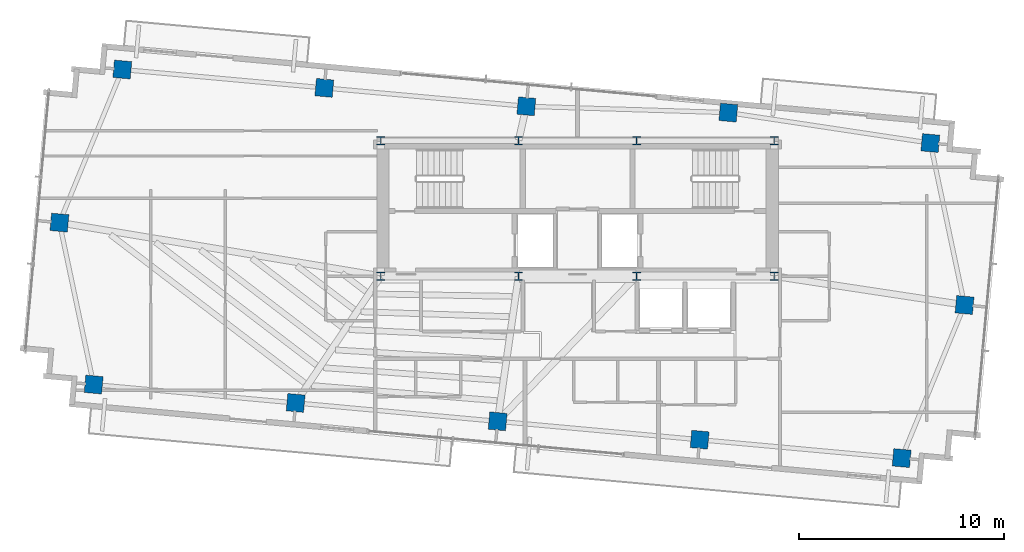
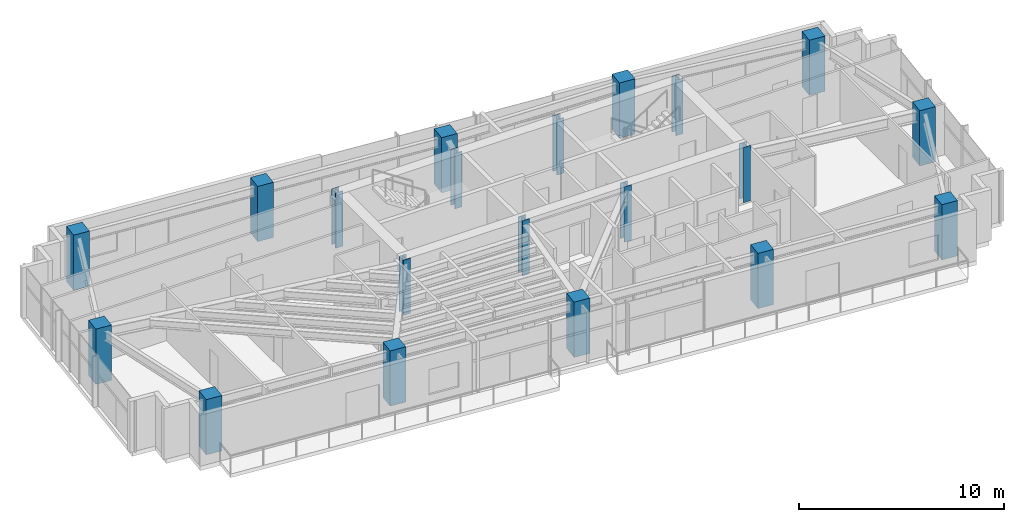
# One storey, part 1 of 22: 20 columns.
"""IFC4 building model written with IfcOpenShell, lengths in metres."""

from ifc_helpers import new_model, si_unit, direction, frame, origin, origin_2d, place, context, subcontext, project, spatial, rectangle, i_section, extrude, source, transform, mapped, material, material_profile, profile_set, type_object, type_shapes, element, save


model = new_model("IFC4")

# Units and contexts
model_context = context("Model", 3, precision=1e-05, world=origin(), true_north=direction((0.0, 1.0)))
body_context = subcontext(model_context, "Body", "Model", "MODEL_VIEW")
ifc_project = project(units=[si_unit("LENGTHUNIT", "METRE"), si_unit("AREAUNIT", "SQUARE_METRE"), si_unit("VOLUMEUNIT", "CUBIC_METRE"), si_unit("PLANEANGLEUNIT", "RADIAN"), si_unit("MASSUNIT", "GRAM", prefix="KILO")], contexts=[model_context])

# Site, building, storey
site_placement = place(None, origin())
site = spatial("IfcSite", under=ifc_project, at=site_placement, CompositionType="ELEMENT")
building_placement = place(site_placement, origin())
building = spatial("IfcBuilding", under=site, at=building_placement, Name="Astriad Promenade Condominiums", CompositionType="ELEMENT")
storey_placement = place(building_placement, frame((0.0, 0.0, 243.0)))
storey = spatial("IfcBuildingStorey", under=building, at=storey_placement, Name="L70", CompositionType="ELEMENT", Elevation=243.0)

# Columns
ifc_material_1 = material(Name="Steel ASTM A992 Grade 50", Category="steel")
ifc_material_profile_1 = material_profile(ifc_material_1, i_section(OverallWidth=0.4091796875, OverallDepth=0.42529296875, WebThickness=0.03271484375, FlangeThickness=0.052490234375, FilletRadius=0.017822265625, at=origin_2d()), Name="W14X283")
ifc_profile_set_1 = profile_set([ifc_material_profile_1], Name="Steel ASTM A992 Grade 50")
column_type_1 = type_object("IfcColumnType", Name="STEEL CORE PILASTER W14X283", PredefinedType="PILASTER", material=ifc_profile_set_1)
shared_shape_1 = source(origin(), body_context, "Body", "SweptSolid", [
    extrude(i_section(OverallWidth=0.4091796875, OverallDepth=0.42529296875, WebThickness=0.03271484375, FlangeThickness=0.052490234375, FilletRadius=0.017822265625, at=origin_2d()), origin(), (0.0, 0.0, 1.0), 3.296142578125),
])
type_shapes(column_type_1, [shared_shape_1])
for number, where, z_axis, x_axis, name in (
    (1, (26.39990234375, 17.39990234375, 0.001953125), (0.0, 0.0, 1.0), (1.0, 0.0, 0.0), "Core Pilaster Column CP1 (L70)"),
    (2, (33.1201171875, 17.39990234375, 0.001953125), (0.0, 0.0, 1.0), (1.0, 0.0, 0.0), "Core Pilaster Column CP2 (L70)"),
    (3, (38.8798828125, 17.39990234375, 0.001953125), (0.0, 0.0, 1.0), (1.0, 0.0, 0.0), "Core Pilaster Column CP3 (L70)"),
    (4, (45.60009765625, 17.39990234375, 0.001953125), (0.0, 0.0, 1.0), (1.0, 0.0, 0.0), "Core Pilaster Column CP4 (L70)"),
    (5, (26.39990234375, 24.0, 0.001953125), (0.0, 0.0, 1.0), (1.0, 0.0, 0.0), "Core Pilaster Column CP5 (L70)"),
    (6, (33.1201171875, 24.0, 0.001953125), (0.0, 0.0, 1.0), (1.0, 0.0, 0.0), "Core Pilaster Column CP6 (L70)"),
    (7, (38.8798828125, 24.0, 0.001953125), (0.0, 0.0, 1.0), (1.0, 0.0, 0.0), "Core Pilaster Column CP7 (L70)"),
    (8, (45.60009765625, 24.0, 0.001953125), (0.0, 0.0, 1.0), (1.0, 0.0, 0.0), "Core Pilaster Column CP8 (L70)"),
):
    element("IfcColumn", number, at=place(storey_placement, frame(where, z_axis=z_axis, x_axis=x_axis)), inside=storey, type_object=column_type_1, Name=name, PredefinedType="PILASTER", context=body_context, shape_type="MappedRepresentation", body=[
        mapped(shared_shape_1, transform((0.0, 0.0, 0.0), scale=1.0)),
    ])
ifc_material_2 = material(Name="Concrete C50/60", Category="concrete")
ifc_material_profile_2 = material_profile(ifc_material_2, rectangle(XDim=0.85009765625, YDim=0.85009765625, at=origin_2d()), Name="RC-COL-850X850")
ifc_profile_set_2 = profile_set([ifc_material_profile_2], Name="Concrete C50/60")
column_type_2 = type_object("IfcColumnType", Name="CONCRETE TOWER COLUMN 850X850", PredefinedType="COLUMN", material=ifc_profile_set_2)
shared_shape_2 = source(origin(), body_context, "Body", "SweptSolid", [
    extrude(rectangle(XDim=0.85009765625, YDim=0.85009765625, at=origin_2d()), origin(), (0.0, 0.0, 1.0), 3.296142578125),
])
type_shapes(column_type_2, [shared_shape_2])
for number, where, z_axis, x_axis, name in (
    (9, (12.3818359375, 12.106201171875, 0.001953125), (0.0, 0.0, 1.0), (0.995884398616, -0.090632580198, 0.0), "Perimeter Column PC01 (L70)"),
    (10, (22.2412109375, 11.208984375, 0.001953125), (0.0, 0.0, 1.0), (0.995884398616, -0.090632580198, 0.0), "Perimeter Column PC02 (L70)"),
    (11, (32.100341796875, 10.311767578125, 0.001953125), (0.0, 0.0, 1.0), (0.995884398616, -0.090632580198, 0.0), "Perimeter Column PC03 (L70)"),
    (12, (41.959716796875, 9.41455078125, 0.001953125), (0.0, 0.0, 1.0), (0.995884398616, -0.090632580198, 0.0), "Perimeter Column PC04 (L70)"),
    (13, (51.81884765625, 8.51708984375, 0.001953125), (0.0, 0.0, 1.0), (0.995884398616, -0.090632580198, 0.0), "Perimeter Column PC05 (L70)"),
    (14, (13.78125, 27.48291015625, 0.001953125), (0.0, 0.0, 1.0), (0.995884398616, -0.090632580198, 0.0), "Perimeter Column PC06 (L70)"),
    (15, (23.640380859375, 26.58544921875, 0.001953125), (0.0, 0.0, 1.0), (0.995884398616, -0.090632580198, 0.0), "Perimeter Column PC07 (L70)"),
    (16, (33.499755859375, 25.688232421875, 0.001953125), (0.0, 0.0, 1.0), (0.995884398616, -0.090632580198, 0.0), "Perimeter Column PC08 (L70)"),
    (17, (43.35888671875, 25.3798828125, 0.001953125), (0.0, 0.0, 1.0), (0.995884398616, -0.090632580198, 0.0), "Perimeter Column PC09 (L70)"),
    (18, (53.21826171875, 23.893798828125, 0.001953125), (0.0, 0.0, 1.0), (0.995884398616, -0.090632580198, 0.0), "Perimeter Column PC10 (L70)"),
    (19, (10.711181640625, 20.01025390625, 0.001953125), (0.0, 0.0, 1.0), (0.995884398616, -0.090632580198, 0.0), "Perimeter Column PC11 (L70)"),
    (20, (54.888671875, 15.98974609375, 0.001953125), (0.0, 0.0, 1.0), (0.995884398616, -0.090632580198, 0.0), "Perimeter Column PC12 (L70)"),
):
    element("IfcColumn", number, at=place(storey_placement, frame(where, z_axis=z_axis, x_axis=x_axis)), inside=storey, type_object=column_type_2, Name=name, PredefinedType="COLUMN", context=body_context, shape_type="MappedRepresentation", body=[
        mapped(shared_shape_2, transform((0.0, 0.0, 0.0), scale=1.0)),
    ])

save(model, "model.ifc")
